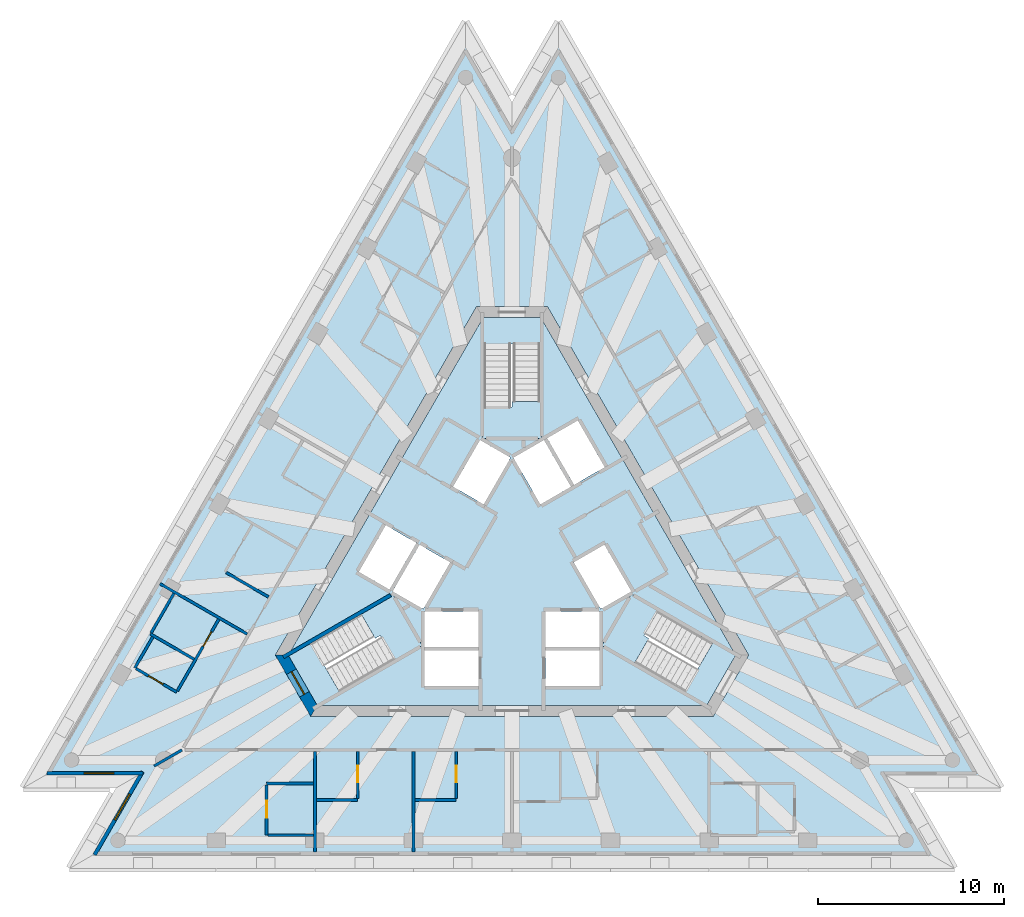
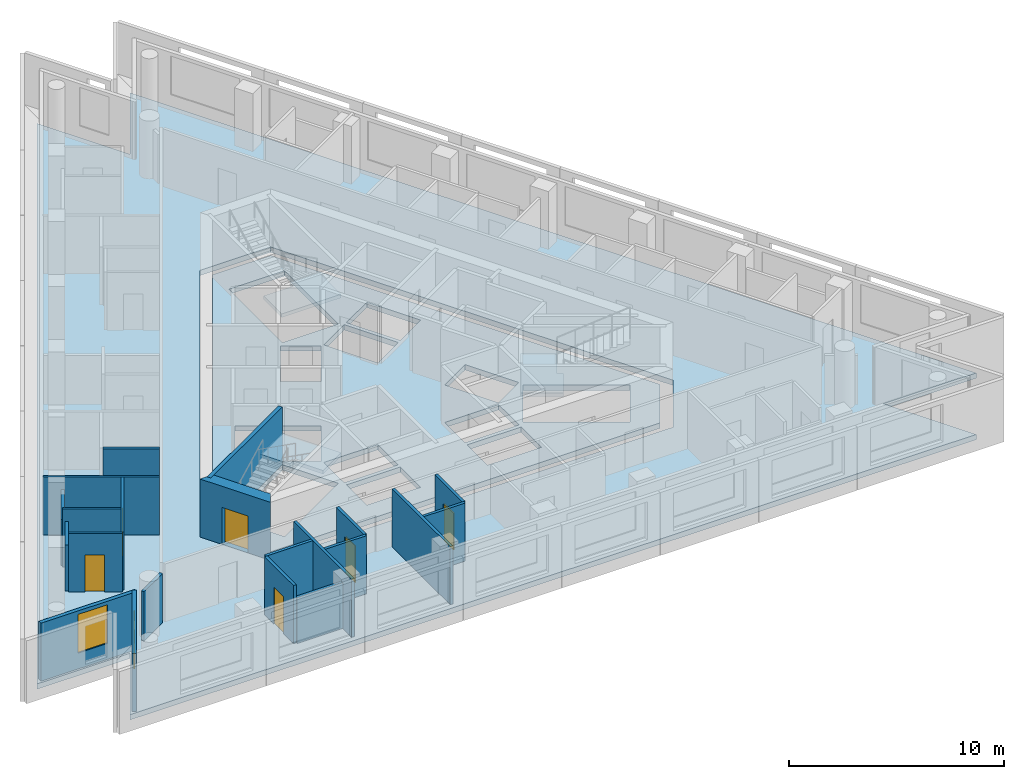
# One storey, part 2 of 11: 21 walls, 6 doors, 5 slabs, 2 windows, 8 openings, 3 elements without a shape of their own.
"""IFC4 building model written with IfcOpenShell, lengths in metres."""

from ifc_helpers import new_model, si_unit, direction, frame, frame_2d, origin, place, context, subcontext, project, spatial, polyline, rectangle, outline, extrude, material, layer, layer_set, layer_usage, type_object, element, fill, aggregate, save


model = new_model("IFC4")

# Units and contexts
model_context = context("Model", 3, precision=1e-05, world=origin(), true_north=direction((0.0, 1.0)))
body_context = subcontext(model_context, "Body", "Model", "MODEL_VIEW")
ifc_project = project(units=[si_unit("LENGTHUNIT", "METRE"), si_unit("AREAUNIT", "SQUARE_METRE"), si_unit("VOLUMEUNIT", "CUBIC_METRE"), si_unit("PLANEANGLEUNIT", "RADIAN"), si_unit("MASSUNIT", "GRAM", prefix="KILO")], contexts=[model_context])

# Site, building, storey
site_placement = place(None, origin())
site = spatial("IfcSite", under=ifc_project, at=site_placement, CompositionType="ELEMENT")
building_placement = place(site_placement, origin())
building = spatial("IfcBuilding", under=site, at=building_placement, Name="Triada Interchange Tower", CompositionType="ELEMENT")
storey_placement = place(building_placement, frame((0.0, 0.0, 304.300048828125)))
storey = spatial("IfcBuildingStorey", under=building, at=storey_placement, Name="L72", CompositionType="ELEMENT", Elevation=304.300048828125)

# Slabs
ifc_material_1 = material(Name="Concrete C50/60", Category="concrete")
ifc_layer_1 = layer(ifc_material_1, 0.300048828125)
ifc_layer_set_1 = layer_set([ifc_layer_1], Name="Floor slab 300")
slab_type_1 = type_object("IfcSlabType", Name="Floor slab 300", PredefinedType="FLOOR", material=ifc_layer_set_1)
slab_1_placement = place(storey_placement, frame((0.0, 0.0, -0.300048828125)))
element("IfcSlab", 1, at=slab_1_placement, inside=storey, type_object=slab_type_1, Name="Floor slab L72", PredefinedType="FLOOR", context=body_context, shape_type="SweptSolid", body=[
    extrude(outline(polyline([(-2.498046875, 27.72705078125), (-25.260986328125, -11.699951171875), (-20.263916015625, -11.699951171875), (-22.762939453125, -16.027099609375), (22.762939453125, -16.027099609375), (20.263916015625, -11.699951171875), (25.260986328125, -11.699951171875), (2.498046875, 27.72705078125), (0.0, 23.39892578125), (-2.498046875, 27.72705078125)]), holes=[polyline([(1.905029296875, 13.60009765625), (-1.905029296875, 13.60009765625), (-12.73095703125, -5.14990234375), (-10.824951171875, -8.449951171875), (10.824951171875, -8.449951171875), (12.73095703125, -5.14990234375), (1.905029296875, 13.60009765625)])]), origin(), (0.0, 0.0, 1.0), 0.300048828125),
])
slab_2_placement = place(storey_placement, frame((0.0, 0.0, -0.300048828125)))
element("IfcSlab", 2, at=slab_2_placement, inside=storey, type_object=slab_type_1, Name="Core floor slab L72 1", PredefinedType="FLOOR", context=body_context, shape_type="SweptSolid", body=[
    extrude(outline(polyline([(12.0380859375, -5.14990234375), (10.47900390625, -7.85009765625), (-10.47900390625, -7.85009765625), (-12.0380859375, -5.14990234375), (-1.55908203125, 13.0), (1.55908203125, 13.0), (12.0380859375, -5.14990234375)]), holes=[polyline([(9.2958984375, -7.09912109375), (10.7958984375, -4.5009765625), (6.466064453125, -2.0009765625), (4.966064453125, -4.59912109375), (9.2958984375, -7.09912109375)]), polyline([(4.969970703125, 0.791015625), (3.324951171875, -0.158935546875), (4.77490234375, -2.669921875), (6.419921875, -1.719970703125), (4.969970703125, 0.791015625)]), polyline([(1.89404296875, 6.52001953125), (3.343994140625, 4.009033203125), (4.989013671875, 4.958984375), (3.5390625, 7.469970703125), (1.89404296875, 6.52001953125)]), polyline([(1.800048828125, -4.89990234375), (1.800048828125, -6.4990234375), (1.800048828125, -6.800048828125), (4.699951171875, -6.800048828125), (4.699951171875, -4.89990234375), (1.800048828125, -4.89990234375)]), polyline([(4.699951171875, -2.800048828125), (1.800048828125, -2.800048828125), (1.800048828125, -4.699951171875), (4.699951171875, -4.699951171875), (4.699951171875, -2.800048828125)]), polyline([(1.52490234375, 2.958984375), (2.594970703125, 3.576904296875), (3.169921875, 3.908935546875), (1.719970703125, 6.419921875), (0.074951171875, 5.469970703125), (1.52490234375, 2.958984375)]), polyline([(-1.5, 11.60009765625), (-1.5, 6.60009765625), (1.5, 6.60009765625), (1.5, 11.60009765625), (-1.5, 11.60009765625)]), polyline([(-1.52490234375, 2.958984375), (-0.074951171875, 5.469970703125), (-1.719970703125, 6.419921875), (-3.169921875, 3.908935546875), (-1.52490234375, 2.958984375)]), polyline([(-1.800048828125, -2.800048828125), (-4.699951171875, -2.800048828125), (-4.699951171875, -4.699951171875), (-1.800048828125, -4.699951171875), (-1.800048828125, -2.800048828125)]), polyline([(-4.699951171875, -6.800048828125), (-1.800048828125, -6.800048828125), (-1.800048828125, -6.4990234375), (-1.800048828125, -4.89990234375), (-4.699951171875, -4.89990234375), (-4.699951171875, -6.800048828125)]), polyline([(-3.427978515625, -0.09912109375), (-4.969970703125, 0.791015625), (-6.419921875, -1.719970703125), (-4.77490234375, -2.669921875), (-3.324951171875, -0.158935546875), (-3.427978515625, -0.09912109375)]), polyline([(-10.7958984375, -4.5009765625), (-9.2958984375, -7.09912109375), (-4.966064453125, -4.59912109375), (-6.466064453125, -2.0009765625), (-10.7958984375, -4.5009765625)]), polyline([(-6.593994140625, -1.6201171875), (-5.14404296875, 0.89111328125), (-6.7890625, 1.841064453125), (-8.239013671875, -0.669921875), (-6.593994140625, -1.6201171875)])]), origin(), (0.0, 0.0, 1.0), 0.300048828125),
])

# Stair, slab
ifc_material_2 = material(Name="Concrete C35/45", Category="concrete")
stair_type = type_object("IfcStairType", Name="HALF TURN STAIR 1400", PredefinedType="HALF_TURN_STAIR", material=ifc_material_2)
stair_1_placement = place(storey_placement, origin())
stair_1 = element("IfcStair", 3, at=stair_1_placement, inside=storey, type_object=stair_type, Name="Exit stair S71-1", PredefinedType="HALF_TURN_STAIR")
ifc_layer_2 = layer(ifc_material_2, 0.199951171875)
ifc_layer_set_2 = layer_set([ifc_layer_2], Name="STAIR LANDING 200")
slab_type_2 = type_object("IfcSlabType", Name="STAIR LANDING 200", PredefinedType="LANDING", material=ifc_layer_set_2)
slab_3_placement = place(storey_placement, frame((0.0, 0.0, 1.521728515625)))
slab_3 = element("IfcSlab", 4, at=slab_3_placement, type_object=slab_type_2, Name="S71-1 landing 1", PredefinedType="LANDING", context=body_context, shape_type="SweptSolid", body=[
    extrude(outline(polyline([(1.60009765625, 6.5), (1.60009765625, 8.5), (0.0, 8.5), (0.0, 8.18994140625), (-1.60009765625, 8.18994140625), (-1.60009765625, 6.5), (1.60009765625, 6.5)])), origin(), (0.0, 0.0, 1.0), 0.199951171875),
])
aggregate(stair_1, [slab_3])

stair_2_placement = place(storey_placement, origin())
stair_2 = element("IfcStair", 5, at=stair_2_placement, inside=storey, type_object=stair_type, Name="Exit stair S71-2", PredefinedType="HALF_TURN_STAIR")
slab_4_placement = place(storey_placement, frame((0.0, 0.0, 1.521728515625)))
slab_4 = element("IfcSlab", 6, at=slab_4_placement, type_object=slab_type_2, Name="S71-2 landing 1", PredefinedType="LANDING", context=body_context, shape_type="SweptSolid", body=[
    extrude(outline(polyline([(-6.428955078125, -1.864013671875), (-8.160888671875, -2.864013671875), (-7.361083984375, -4.25), (-7.093017578125, -4.094970703125), (-6.29296875, -5.48095703125), (-4.8291015625, -4.635986328125), (-6.428955078125, -1.864013671875)])), origin(), (0.0, 0.0, 1.0), 0.199951171875),
])
aggregate(stair_2, [slab_4])

stair_3_placement = place(storey_placement, origin())
stair_3 = element("IfcStair", 7, at=stair_3_placement, inside=storey, type_object=stair_type, Name="Exit stair S71-3", PredefinedType="HALF_TURN_STAIR")
slab_5_placement = place(storey_placement, frame((0.0, 0.0, 1.521728515625)))
slab_5 = element("IfcSlab", 8, at=slab_5_placement, type_object=slab_type_2, Name="S71-3 landing 1", PredefinedType="LANDING", context=body_context, shape_type="SweptSolid", body=[
    extrude(outline(polyline([(4.8291015625, -4.635986328125), (6.56103515625, -5.635986328125), (7.361083984375, -4.25), (7.093017578125, -4.094970703125), (7.89306640625, -2.708984375), (6.428955078125, -1.864013671875), (4.8291015625, -4.635986328125)])), origin(), (0.0, 0.0, 1.0), 0.199951171875),
])
aggregate(stair_3, [slab_5])

# Wall
ifc_material_3 = material(Name="Concrete C30/37", Category="concrete")
ifc_layer_3 = layer(ifc_material_3, 0.199951171875)
ifc_layer_set_3 = layer_set([ifc_layer_3], Name="CORE WALL 200 REI 240")
wall_type_1 = type_object("IfcWallType", Name="CORE WALL 200 REI 240", PredefinedType="SOLIDWALL", material=ifc_layer_set_3)
wall_1_placement = place(storey_placement, frame((-12.301025390625, -5.25390625, 0.0), z_axis=(0.0, 0.0, 1.0), x_axis=(0.866068467981, 0.499925403204, 0.0)))
element("IfcWall", 9, at=wall_1_placement, inside=storey, type_object=wall_type_1, Name="Wall L71 115", PredefinedType="SOLIDWALL", context=body_context, shape_type="SweptSolid", body=[
    extrude(rectangle(XDim=6.66455078125, YDim=0.199951171875, at=frame_2d((3.332275390625, 0.0))), origin(), (0.0, 0.0, 1.0), 3.300048828125),
])

# Wall, opening, door
ifc_material_4 = material(Name="Concrete C40/50", Category="concrete")
ifc_layer_4 = layer(ifc_material_4, 0.60009765625)
ifc_layer_set_4 = layer_set([ifc_layer_4], Name="Core wall D 600")
wall_type_2 = type_object("IfcWallType", Name="Core wall D 600", PredefinedType="SHEAR", material=ifc_layer_set_4)
wall_2_placement = place(storey_placement, frame((-12.384033203125, -5.14990234375, -0.300048828125), z_axis=(0.0, 0.0, 1.0), x_axis=(0.49997462182, -0.866040055388, 0.0)))
wall_2 = element("IfcWall", 10, at=wall_2_placement, inside=storey, type_object=wall_type_2, Name="Core wall WD03 L72", PredefinedType="SHEAR", context=body_context, shape_type="SweptSolid", body=[
    extrude(outline(polyline([(-0.173095703125, -0.301025390625), (1.73193359375, -0.300537109375), (3.636962890625, -0.300048828125), (3.291015625, 0.300048828125), (1.73193359375, 0.300048828125), (0.173095703125, 0.300048828125), (-0.173095703125, -0.301025390625)])), origin(), (0.0, 0.0, 1.0), 3.60009765625),
])
opening_1_placement = place(wall_2_placement, frame((1.031982421875, 0.0, 0.300048828125)))
opening_1 = element("IfcOpeningElement", 11, at=opening_1_placement, cuts=wall_2, Name="Opening D71-51", PredefinedType="OPENING", context=body_context, shape_type="SweptSolid", body=[
    extrude(rectangle(XDim=1.39990234375, YDim=2.10009765625, at=frame_2d((0.699951171875, 1.050048828125))), frame((0.0, 0.31005859375, 0.0), z_axis=(0.0, -1.0, 0.0), x_axis=(1.0, 0.0, 0.0)), (0.0, 0.0, 1.0), 0.62109375),
])
ifc_material_5 = material(Name="Steel S235 door leaf", Category="steel")
door_type_1 = type_object("IfcDoorType", Name="STAIR DOOR 1400 EI2 90-C5S200", OperationType="DOUBLE_DOOR_SINGLE_SWING", PredefinedType="DOOR", material=ifc_material_5)
door_1_placement = place(opening_1_placement, origin())
door_1 = element("IfcDoor", 12, at=door_1_placement, inside=storey, type_object=door_type_1, Name="Door D71-51 L72", OperationType="DOUBLE_DOOR_SINGLE_SWING", OverallHeight=2.10009765625, OverallWidth=1.39990234375, PredefinedType="DOOR", context=body_context, shape_type="SweptSolid", body=[
    extrude(rectangle(XDim=1.39990234375, YDim=2.10009765625, at=frame_2d((0.699951171875, 1.050048828125))), frame((0.0, 0.02490234375, 0.0), z_axis=(0.0, -1.0, 0.0), x_axis=(1.0, 0.0, 0.0)), (0.0, 0.0, 1.0), 0.050048828125),
])
fill(opening_1, door_1)

# Wall, opening, window
ifc_material_6 = material(Name="Cement board")
ifc_layer_5 = layer(ifc_material_6, 0.02001953125, Name="Cement board cladding")
ifc_material_7 = material(Name="Sheathing board")
ifc_layer_6 = layer(ifc_material_7, 0.014892578125, Name="Sheathing board")
ifc_material_8 = material(Name="Mineral wool")
ifc_layer_7 = layer(ifc_material_8, 0.14990234375, Name="Mineral wool between steel studs")
ifc_material_9 = material(Name="Gypsum board")
ifc_layer_8 = layer(ifc_material_9, 0.014892578125, Name="Plasterboard lining")
ifc_layer_set_5 = layer_set([ifc_layer_5, ifc_layer_6, ifc_layer_7, ifc_layer_8], Name="External wall 200")
ifc_layer_usage = layer_usage(ifc_layer_set_5, "AXIS2", "POSITIVE", -0.10009765625)
wall_type_3 = type_object("IfcWallType", Name="External wall 200", PredefinedType="ELEMENTEDWALL", material=ifc_layer_set_5)
wall_3_placement = place(storey_placement, frame((-25.0048828125, -11.5, 0.0), z_axis=(0.0, 0.0, 1.0), x_axis=(1.0, 0.0, 0.0)))
wall_3 = element("IfcWall", 13, at=wall_3_placement, inside=storey, type_object=wall_type_3, material=ifc_layer_usage, Name="External wall L72 SW-1", PredefinedType="ELEMENTEDWALL", context=body_context, shape_type="SweptSolid", body=[
    extrude(rectangle(XDim=5.156982421875, YDim=0.199951171875, at=frame_2d((2.57861328125, 0.0))), origin(), (0.0, 0.0, 1.0), 3.300048828125),
])
opening_2_placement = place(wall_3_placement, frame((1.989990234375, 0.0, 0.89990234375)))
opening_2 = element("IfcOpeningElement", 14, at=opening_2_placement, cuts=wall_3, Name="Opening WD09", PredefinedType="OPENING", context=body_context, shape_type="SweptSolid", body=[
    extrude(rectangle(XDim=1.60009765625, YDim=2.199951171875, at=frame_2d((0.800048828125, 1.10009765625))), frame((0.0, 0.10986328125, 0.0), z_axis=(0.0, -1.0, 0.0), x_axis=(1.0, 0.0, 0.0)), (0.0, 0.0, 1.0), 0.219970703125),
])
ifc_material_10 = material(Name="Double glazed aluminium window", Category="aluminium")
window_type = type_object("IfcWindowType", Name="Ribbon window D pocket", PartitioningType="SINGLE_PANEL", PredefinedType="WINDOW", material=ifc_material_10)
window_1_placement = place(opening_2_placement, origin())
window_1 = element("IfcWindow", 15, at=window_1_placement, inside=storey, type_object=window_type, Name="Window L72 SW-1 1", OverallHeight=2.199951171875, OverallWidth=1.60009765625, PartitioningType="SINGLE_PANEL", PredefinedType="WINDOW", context=body_context, shape_type="SweptSolid", body=[
    extrude(rectangle(XDim=1.60009765625, YDim=2.199951171875, at=frame_2d((0.800048828125, 1.10009765625))), frame((0.0, 0.030029296875, 0.0), z_axis=(0.0, -1.0, 0.0), x_axis=(1.0, 0.0, 0.0)), (0.0, 0.0, 1.0), 0.06005859375),
])
fill(opening_2, window_1)

wall_4_placement = place(storey_placement, frame((-19.873046875, -11.422119140625, 0.0), z_axis=(0.0, 0.0, 1.0), x_axis=(-0.500074877135, -0.865982169134, 0.0)))
wall_4 = element("IfcWall", 16, at=wall_4_placement, inside=storey, type_object=wall_type_3, material=ifc_layer_usage, Name="External wall L72 SW-2", PredefinedType="ELEMENTEDWALL", context=body_context, shape_type="SweptSolid", body=[
    extrude(rectangle(XDim=5.156982421875, YDim=0.199951171875, at=frame_2d((2.57861328125, 0.0))), origin(), (0.0, 0.0, 1.0), 3.300048828125),
])
opening_3_placement = place(wall_4_placement, frame((1.389892578125, 0.0, 0.89990234375)))
opening_3 = element("IfcOpeningElement", 17, at=opening_3_placement, cuts=wall_4, Name="Opening WD10", PredefinedType="OPENING", context=body_context, shape_type="SweptSolid", body=[
    extrude(rectangle(XDim=1.60009765625, YDim=2.199951171875, at=frame_2d((0.800048828125, 1.10009765625))), frame((0.0, 0.10986328125, 0.0), z_axis=(0.0, -1.0, 0.0), x_axis=(1.0, 0.0, 0.0)), (0.0, 0.0, 1.0), 0.219970703125),
])
window_2_placement = place(opening_3_placement, origin())
window_2 = element("IfcWindow", 18, at=window_2_placement, inside=storey, type_object=window_type, Name="Window L72 SW-2 1", OverallHeight=2.199951171875, OverallWidth=1.60009765625, PartitioningType="SINGLE_PANEL", PredefinedType="WINDOW", context=body_context, shape_type="SweptSolid", body=[
    extrude(rectangle(XDim=1.60009765625, YDim=2.199951171875, at=frame_2d((0.800048828125, 1.10009765625))), frame((0.0, 0.030029296875, 0.0), z_axis=(0.0, -1.0, 0.0), x_axis=(1.0, 0.0, 0.0)), (0.0, 0.0, 1.0), 0.06005859375),
])
fill(opening_3, window_2)

# Walls
ifc_material_11 = material(Name="Gypsum board partition")
ifc_layer_9 = layer(ifc_material_11, 0.14990234375)
ifc_layer_set_6 = layer_set([ifc_layer_9], Name="PARTITION 150 EI 180")
wall_type_4 = type_object("IfcWallType", Name="PARTITION 150 EI 180", PredefinedType="PARTITIONING", material=ifc_layer_set_6)
wall_5_placement = place(storey_placement, frame((-19.241943359375, -11.110107421875, 0.0), z_axis=(0.0, 0.0, 1.0), x_axis=(0.86591836888, 0.500185344083, 0.0)))
element("IfcWall", 19, at=wall_5_placement, inside=storey, type_object=wall_type_4, Name="Wall L71 1", PredefinedType="PARTITIONING", context=body_context, shape_type="SweptSolid", body=[
    extrude(rectangle(XDim=1.719482421875, YDim=0.14990234375, at=frame_2d((0.85986328125, 0.0))), origin(), (0.0, 0.0, 1.0), 2.800048828125),
])
wall_6_placement = place(storey_placement, frame((-18.93798828125, -1.30810546875, 0.0), z_axis=(0.0, 0.0, 1.0), x_axis=(0.866006352826, -0.500032995777, 0.0)))
element("IfcWall", 20, at=wall_6_placement, inside=storey, type_object=wall_type_4, Name="Wall L71 3", PredefinedType="PARTITIONING", context=body_context, shape_type="SweptSolid", body=[
    extrude(rectangle(XDim=5.421630859375, YDim=0.14990234375, at=frame_2d((2.7109375, 0.0))), origin(), (0.0, 0.0, 1.0), 3.300048828125),
])
for number, where, z_axis, x_axis, name in (
    (21, (-10.60205078125, -15.7470703125, 0.0), (0.0, 0.0, 1.0), (0.0, 1.0, 0.0), "Wall L71 9"),
    (22, (-5.301025390625, -15.7470703125, 0.0), (0.0, 0.0, 1.0), (0.0, 1.0, 0.0), "Wall L71 11"),
):
    element("IfcWall", number, at=place(storey_placement, frame(where, z_axis=z_axis, x_axis=x_axis)), inside=storey, type_object=wall_type_4, Name=name, PredefinedType="PARTITIONING", context=body_context, shape_type="SweptSolid", body=[
        extrude(rectangle(XDim=5.422119140625, YDim=0.14990234375, at=frame_2d((2.7109375, 0.0))), origin(), (0.0, 0.0, 1.0), 3.300048828125),
    ])
ifc_layer_10 = layer(ifc_material_11, 0.14990234375)
ifc_layer_set_7 = layer_set([ifc_layer_10], Name="PARTITION 150 EI 90")
wall_type_5 = type_object("IfcWallType", Name="PARTITION 150 EI 90", PredefinedType="PARTITIONING", material=ifc_layer_set_7)
wall_7_placement = place(storey_placement, frame((-19.450927734375, -4.013916015625, 0.0), z_axis=(0.0, 0.0, 1.0), x_axis=(0.86594733563, -0.500135193638, 0.0)))
element("IfcWall", 23, at=wall_7_placement, inside=storey, type_object=wall_type_5, Name="Wall L71 27", PredefinedType="PARTITIONING", context=body_context, shape_type="SweptSolid", body=[
    extrude(rectangle(XDim=2.713623046875, YDim=0.14990234375, at=frame_2d((1.35693359375, 0.0))), origin(), (0.0, 0.0, 1.0), 3.300048828125),
])
wall_8_placement = place(storey_placement, frame((-20.2880859375, -5.840087890625, 0.0), z_axis=(0.0, 0.0, 1.0), x_axis=(0.499890818081, 0.866088430819, 0.0)))
element("IfcWall", 24, at=wall_8_placement, inside=storey, type_object=wall_type_5, Name="Wall L71 28", PredefinedType="PARTITIONING", context=body_context, shape_type="SweptSolid", body=[
    extrude(rectangle(XDim=1.9248046875, YDim=0.14990234375, at=frame_2d((0.96240234375, 0.0))), origin(), (0.0, 0.0, 1.0), 2.599853515625),
])

# Wall, opening, door
wall_9_placement = place(storey_placement, frame((-20.222900390625, -5.8779296875, 0.0), z_axis=(0.0, 0.0, 1.0), x_axis=(0.866146950478, -0.499789415832, 0.0)))
wall_9 = element("IfcWall", 25, at=wall_9_placement, inside=storey, type_object=wall_type_5, Name="Wall L71 29", PredefinedType="PARTITIONING", context=body_context, shape_type="SweptSolid", body=[
    extrude(rectangle(XDim=2.52490234375, YDim=0.14990234375, at=frame_2d((1.262451171875, 0.0))), origin(), (0.0, 0.0, 1.0), 3.300048828125),
])
opening_4_placement = place(wall_9_placement, frame((0.77490234375, 0.0, 0.0)))
opening_4 = element("IfcOpeningElement", 26, at=opening_4_placement, cuts=wall_9, Name="Opening D71-48", PredefinedType="OPENING", context=body_context, shape_type="SweptSolid", body=[
    extrude(rectangle(XDim=0.89990234375, YDim=2.10009765625, at=frame_2d((0.449951171875, 1.050048828125))), frame((0.0, 0.0849609375, 0.0), z_axis=(0.0, -1.0, 0.0), x_axis=(1.0, 0.0, 0.0)), (0.0, 0.0, 1.0), 0.169921875),
])
door_type_2 = type_object("IfcDoorType", Name="SERVICE DOOR 900 EI2 45-C5S200", OperationType="NOTDEFINED", PredefinedType="DOOR", material=ifc_material_5)
door_2_placement = place(opening_4_placement, origin())
door_2 = element("IfcDoor", 27, at=door_2_placement, inside=storey, type_object=door_type_2, Name="Door D71-48 L72", OperationType="SINGLE_SWING_LEFT", OverallHeight=2.10009765625, OverallWidth=0.89990234375, PredefinedType="DOOR", context=body_context, shape_type="SweptSolid", body=[
    extrude(rectangle(XDim=0.89990234375, YDim=2.10009765625, at=frame_2d((0.449951171875, 1.050048828125))), frame((0.0, 0.02490234375, 0.0), z_axis=(0.0, -1.0, 0.0), x_axis=(1.0, 0.0, 0.0)), (0.0, 0.0, 1.0), 0.050048828125),
])
fill(opening_4, door_2)

wall_10_placement = place(storey_placement, frame((-17.9990234375, -7.074951171875, 0.0), z_axis=(0.0, 0.0, 1.0), x_axis=(0.49999788721, 0.866026623601, 0.0)))
wall_10 = element("IfcWall", 28, at=wall_10_placement, inside=storey, type_object=wall_type_5, Name="Wall L71 30", PredefinedType="PARTITIONING", context=body_context, shape_type="SweptSolid", body=[
    extrude(rectangle(XDim=4.4501953125, YDim=0.14990234375, at=frame_2d((2.22509765625, 0.0))), origin(), (0.0, 0.0, 1.0), 3.300048828125),
])
opening_5_placement = place(wall_10_placement, frame((2.77490234375, 0.0, 0.0)))
opening_5 = element("IfcOpeningElement", 29, at=opening_5_placement, cuts=wall_10, Name="Opening D71-47", PredefinedType="OPENING", context=body_context, shape_type="SweptSolid", body=[
    extrude(rectangle(XDim=0.89990234375, YDim=2.10009765625, at=frame_2d((0.449951171875, 1.050048828125))), frame((0.0, 0.0849609375, 0.0), z_axis=(0.0, -1.0, 0.0), x_axis=(1.0, 0.0, 0.0)), (0.0, 0.0, 1.0), 0.169921875),
])
door_type_3 = type_object("IfcDoorType", Name="ROOM DOOR 900 EI2 45-C5S200", OperationType="NOTDEFINED", PredefinedType="DOOR", material=ifc_material_5)
door_3_placement = place(opening_5_placement, origin())
door_3 = element("IfcDoor", 30, at=door_3_placement, inside=storey, type_object=door_type_3, Name="Door D71-47 L72", OperationType="SINGLE_SWING_RIGHT", OverallHeight=2.10009765625, OverallWidth=0.89990234375, PredefinedType="DOOR", context=body_context, shape_type="SweptSolid", body=[
    extrude(rectangle(XDim=0.89990234375, YDim=2.10009765625, at=frame_2d((0.449951171875, 1.050048828125))), frame((0.0, 0.02490234375, 0.0), z_axis=(0.0, -1.0, 0.0), x_axis=(1.0, 0.0, 0.0)), (0.0, 0.0, 1.0), 0.050048828125),
])
fill(opening_5, door_3)

# Walls
wall_11_placement = place(storey_placement, frame((-19.4140625, -3.948974609375, 0.0), z_axis=(0.0, 0.0, 1.0), x_axis=(0.499975448907, 0.8660395779, 0.0)))
element("IfcWall", 31, at=wall_11_placement, inside=storey, type_object=wall_type_5, Name="Wall L71 32", PredefinedType="PARTITIONING", context=body_context, shape_type="SweptSolid", body=[
    extrude(rectangle(XDim=2.4501953125, YDim=0.14990234375, at=frame_2d((1.22509765625, 0.0))), origin(), (0.0, 0.0, 1.0), 2.599853515625),
])
wall_12_placement = place(storey_placement, frame((-15.376953125, -0.70703125, 0.0), z_axis=(0.0, 0.0, 1.0), x_axis=(0.86608234587, -0.499901360443, 0.0)))
element("IfcWall", 32, at=wall_12_placement, inside=storey, type_object=wall_type_5, Name="Wall L71 36", PredefinedType="PARTITIONING", context=body_context, shape_type="SweptSolid", body=[
    extrude(rectangle(XDim=2.63818359375, YDim=0.14990234375, at=frame_2d((1.319091796875, 0.0))), origin(), (0.0, 0.0, 1.0), 3.300048828125),
])
for number, where, z_axis, x_axis, name in (
    (33, (-10.527099609375, -12.949951171875, 0.0), (0.0, 0.0, 1.0), (1.0, 0.0, 0.0), "Wall L71 39"),
    (34, (-5.22607421875, -12.949951171875, 0.0), (0.0, 0.0, 1.0), (1.0, 0.0, 0.0), "Wall L71 40"),
):
    element("IfcWall", number, at=place(storey_placement, frame(where, z_axis=z_axis, x_axis=x_axis)), inside=storey, type_object=wall_type_5, Name=name, PredefinedType="PARTITIONING", context=body_context, shape_type="SweptSolid", body=[
        extrude(rectangle(XDim=2.22509765625, YDim=0.14990234375, at=frame_2d((1.112548828125, 0.0))), origin(), (0.0, 0.0, 1.0), 3.300048828125),
    ])

# Wall, opening, door
wall_13_placement = place(storey_placement, frame((-8.302001953125, -12.875, 0.0), z_axis=(0.0, 0.0, 1.0), x_axis=(0.0, 1.0, 0.0)))
wall_13 = element("IfcWall", 35, at=wall_13_placement, inside=storey, type_object=wall_type_5, Name="Wall L71 41", PredefinedType="PARTITIONING", context=body_context, shape_type="SweptSolid", body=[
    extrude(rectangle(XDim=2.550048828125, YDim=0.14990234375, at=frame_2d((1.27490234375, 0.0))), origin(), (0.0, 0.0, 1.0), 3.300048828125),
])
opening_6_placement = place(wall_13_placement, frame((0.875, 0.0, 0.0)))
opening_6 = element("IfcOpeningElement", 36, at=opening_6_placement, cuts=wall_13, Name="Opening D71-14", PredefinedType="OPENING", context=body_context, shape_type="SweptSolid", body=[
    extrude(rectangle(XDim=0.89990234375, YDim=2.10009765625, at=frame_2d((0.449951171875, 1.050048828125))), frame((0.0, 0.0849609375, 0.0), z_axis=(0.0, -1.0, 0.0), x_axis=(1.0, 0.0, 0.0)), (0.0, 0.0, 1.0), 0.169921875),
])
door_4_placement = place(opening_6_placement, origin())
door_4 = element("IfcDoor", 37, at=door_4_placement, inside=storey, type_object=door_type_3, Name="Door D71-14 L72", OperationType="SINGLE_SWING_RIGHT", OverallHeight=2.10009765625, OverallWidth=0.89990234375, PredefinedType="DOOR", context=body_context, shape_type="SweptSolid", body=[
    extrude(rectangle(XDim=0.89990234375, YDim=2.10009765625, at=frame_2d((0.449951171875, 1.050048828125))), frame((0.0, 0.02490234375, 0.0), z_axis=(0.0, -1.0, 0.0), x_axis=(1.0, 0.0, 0.0)), (0.0, 0.0, 1.0), 0.050048828125),
])
fill(opening_6, door_4)

# Wall
wall_14_placement = place(storey_placement, frame((-13.201904296875, -12.050048828125, 0.0), z_axis=(0.0, 0.0, 1.0), x_axis=(1.0, 0.0, 0.0)))
element("IfcWall", 38, at=wall_14_placement, inside=storey, type_object=wall_type_5, Name="Wall L71 42", PredefinedType="PARTITIONING", context=body_context, shape_type="SweptSolid", body=[
    extrude(rectangle(XDim=2.52490234375, YDim=0.14990234375, at=frame_2d((1.262451171875, 0.0))), origin(), (0.0, 0.0, 1.0), 3.300048828125),
])

# Wall, opening, door
wall_15_placement = place(storey_placement, frame((-13.201904296875, -14.837890625, 0.0), z_axis=(0.0, 0.0, 1.0), x_axis=(0.0, 1.0, 0.0)))
wall_15 = element("IfcWall", 39, at=wall_15_placement, inside=storey, type_object=wall_type_5, Name="Wall L71 44", PredefinedType="PARTITIONING", context=body_context, shape_type="SweptSolid", body=[
    extrude(rectangle(XDim=2.712890625, YDim=0.14990234375, at=frame_2d((1.3564453125, 0.0))), origin(), (0.0, 0.0, 1.0), 3.300048828125),
])
opening_7_placement = place(wall_15_placement, frame((0.948974609375, 0.0, 0.0)))
opening_7 = element("IfcOpeningElement", 40, at=opening_7_placement, cuts=wall_15, Name="Opening D71-12", PredefinedType="OPENING", context=body_context, shape_type="SweptSolid", body=[
    extrude(rectangle(XDim=0.89990234375, YDim=2.10009765625, at=frame_2d((0.449951171875, 1.050048828125))), frame((0.0, 0.0849609375, 0.0), z_axis=(0.0, -1.0, 0.0), x_axis=(1.0, 0.0, 0.0)), (0.0, 0.0, 1.0), 0.169921875),
])
door_5_placement = place(opening_7_placement, origin())
door_5 = element("IfcDoor", 41, at=door_5_placement, inside=storey, type_object=door_type_3, Name="Door D71-12 L72", OperationType="SINGLE_SWING_RIGHT", OverallHeight=2.10009765625, OverallWidth=0.89990234375, PredefinedType="DOOR", context=body_context, shape_type="SweptSolid", body=[
    extrude(rectangle(XDim=0.89990234375, YDim=2.10009765625, at=frame_2d((0.449951171875, 1.050048828125))), frame((0.0, 0.02490234375, 0.0), z_axis=(0.0, -1.0, 0.0), x_axis=(1.0, 0.0, 0.0)), (0.0, 0.0, 1.0), 0.050048828125),
])
fill(opening_7, door_5)

# Wall
wall_16_placement = place(storey_placement, frame((-13.126953125, -14.837890625, 0.0), z_axis=(0.0, 0.0, 1.0), x_axis=(1.0, 0.0, 0.0)))
element("IfcWall", 42, at=wall_16_placement, inside=storey, type_object=wall_type_5, Name="Wall L71 45", PredefinedType="PARTITIONING", context=body_context, shape_type="SweptSolid", body=[
    extrude(rectangle(XDim=2.449951171875, YDim=0.14990234375, at=frame_2d((1.22509765625, 0.0))), origin(), (0.0, 0.0, 1.0), 2.599853515625),
])

# Wall, opening, door
wall_17_placement = place(storey_placement, frame((-3.0009765625, -12.875, 0.0), z_axis=(0.0, 0.0, 1.0), x_axis=(0.0, 1.0, 0.0)))
wall_17 = element("IfcWall", 43, at=wall_17_placement, inside=storey, type_object=wall_type_5, Name="Wall L71 52", PredefinedType="PARTITIONING", context=body_context, shape_type="SweptSolid", body=[
    extrude(rectangle(XDim=2.550048828125, YDim=0.14990234375, at=frame_2d((1.27490234375, 0.0))), origin(), (0.0, 0.0, 1.0), 3.300048828125),
])
opening_8_placement = place(wall_17_placement, frame((0.875, 0.0, 0.0)))
opening_8 = element("IfcOpeningElement", 44, at=opening_8_placement, cuts=wall_17, Name="Opening D71-16", PredefinedType="OPENING", context=body_context, shape_type="SweptSolid", body=[
    extrude(rectangle(XDim=0.89990234375, YDim=2.10009765625, at=frame_2d((0.449951171875, 1.050048828125))), frame((0.0, 0.0849609375, 0.0), z_axis=(0.0, -1.0, 0.0), x_axis=(1.0, 0.0, 0.0)), (0.0, 0.0, 1.0), 0.169921875),
])
door_6_placement = place(opening_8_placement, origin())
door_6 = element("IfcDoor", 45, at=door_6_placement, inside=storey, type_object=door_type_3, Name="Door D71-16 L72", OperationType="SINGLE_SWING_RIGHT", OverallHeight=2.10009765625, OverallWidth=0.89990234375, PredefinedType="DOOR", context=body_context, shape_type="SweptSolid", body=[
    extrude(rectangle(XDim=0.89990234375, YDim=2.10009765625, at=frame_2d((0.449951171875, 1.050048828125))), frame((0.0, 0.02490234375, 0.0), z_axis=(0.0, -1.0, 0.0), x_axis=(1.0, 0.0, 0.0)), (0.0, 0.0, 1.0), 0.050048828125),
])
fill(opening_8, door_6)

save(model, "model.ifc")
